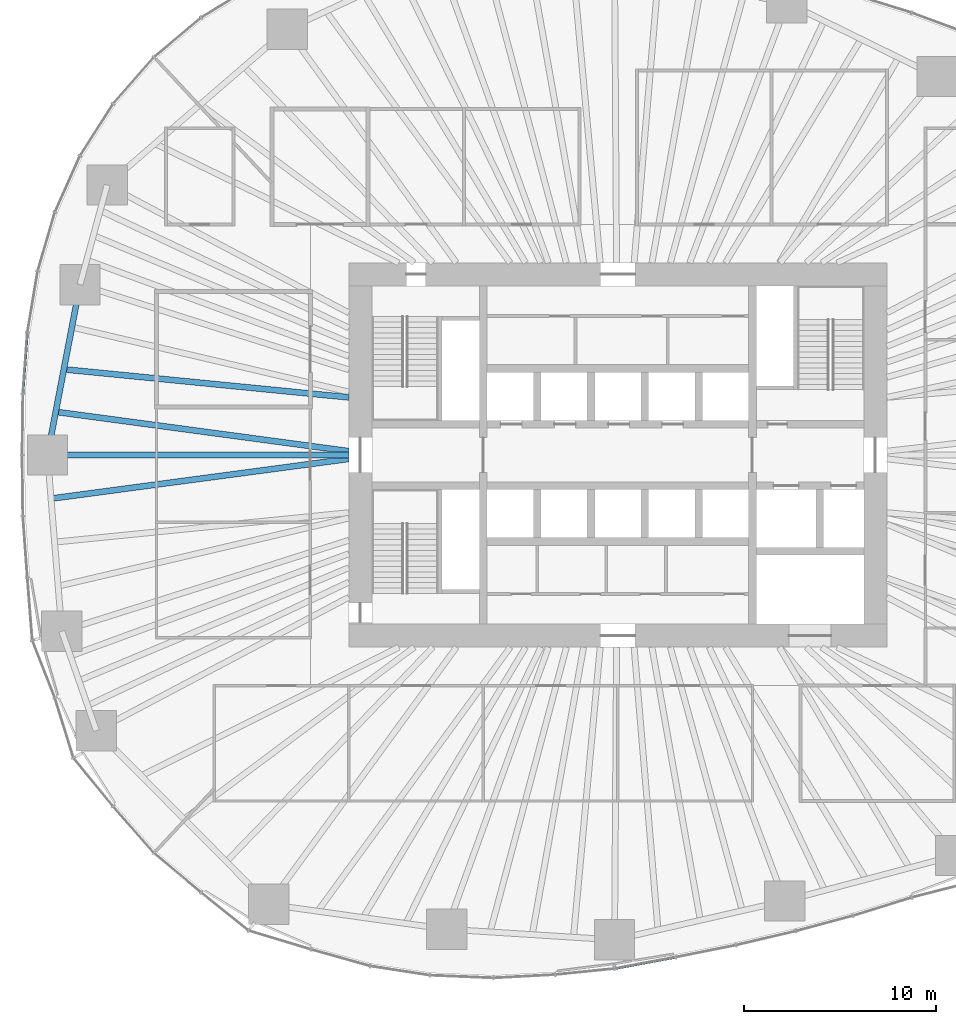
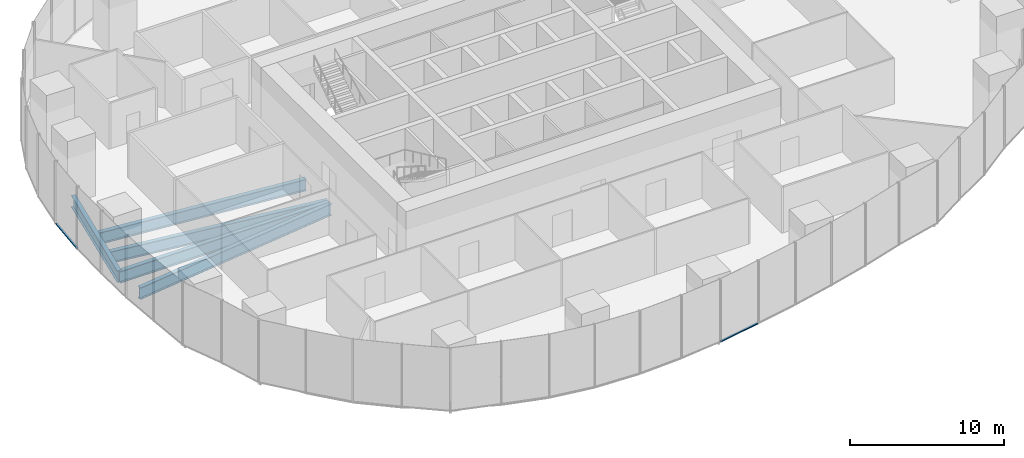
# One storey, part 3 of 20: 5 beams, 2 members, 2 elements without a shape of their own.
"""IFC4 building model written with IfcOpenShell, lengths in metres."""

from ifc_helpers import new_model, si_unit, direction, frame, origin, origin_2d, place, context, subcontext, project, spatial, rectangle, i_section, extrude, material, material_profile, profile_set, type_object, element, aggregate, save


model = new_model("IFC4")

# Units and contexts
model_context = context("Model", 3, precision=1e-05, world=origin(), true_north=direction((0.0, 1.0)))
body_context = subcontext(model_context, "Body", "Model", "MODEL_VIEW")
ifc_project = project(units=[si_unit("LENGTHUNIT", "METRE"), si_unit("AREAUNIT", "SQUARE_METRE"), si_unit("VOLUMEUNIT", "CUBIC_METRE"), si_unit("PLANEANGLEUNIT", "RADIAN"), si_unit("MASSUNIT", "GRAM", prefix="KILO")], contexts=[model_context])

# Site, building, storey
site_placement = place(None, origin())
site = spatial("IfcSite", under=ifc_project, at=site_placement, CompositionType="ELEMENT")
building_placement = place(site_placement, origin())
building = spatial("IfcBuilding", under=site, at=building_placement, Name="Ghaith Harvest Tower", CompositionType="ELEMENT")
storey_placement = place(building_placement, frame((0.0, 0.0, 40.0)))
storey = spatial("IfcBuildingStorey", under=building, at=storey_placement, Name="L08", CompositionType="ELEMENT", Elevation=40.0)

# Curtain wall, member
ifc_material_1 = material(Name="Black anodised aluminium and fritted glass", Category="aluminium")
curtain_wall_type = type_object("IfcCurtainWallType", Name="CW-F CURTAIN WALL", PredefinedType="NOTDEFINED", material=ifc_material_1)
curtain_wall_1_placement = place(storey_placement, origin())
curtain_wall_1 = element("IfcCurtainWall", 1, at=curtain_wall_1_placement, inside=storey, type_object=curtain_wall_type, Name="Curtain wall CW-F bay 10 L08", PredefinedType="NOTDEFINED")
ifc_material_2 = material(Name="Aluminium, black anodised", Category="aluminium")
ifc_material_profile_1 = material_profile(ifc_material_2, rectangle(XDim=0.139892578125, YDim=0.080078125, at=origin_2d()), Name="CW-F TRANSOM 140x80")
ifc_profile_set_1 = profile_set([ifc_material_profile_1], Name="Aluminium, black anodised")
member_type = type_object("IfcMemberType", Name="CW-F TRANSOM 140x80", PredefinedType="USERDEFINED", material=ifc_profile_set_1)
member_1_placement = place(storey_placement, frame((-30.72705078125, 6.335693359375, 0.0400390625), z_axis=(-0.072473547161, -0.997370334912, 0.0), x_axis=(0.997370334912, -0.072473547161, 0.0)))
member_1 = element("IfcMember", 2, at=member_1_placement, type_object=member_type, Name="CW-F transom 2 bay 10 L08", ObjectType="TRANSOM", PredefinedType="USERDEFINED", context=body_context, shape_type="SweptSolid", body=[
    extrude(rectangle(XDim=0.139892578125, YDim=0.080078125, at=origin_2d()), origin(), (0.0, 0.0, 1.0), 3.126220703125),
])
aggregate(curtain_wall_1, [member_1])

curtain_wall_2_placement = place(storey_placement, origin())
curtain_wall_2 = element("IfcCurtainWall", 3, at=curtain_wall_2_placement, inside=storey, type_object=curtain_wall_type, Name="Curtain wall CW-F bay 16 L08", PredefinedType="NOTDEFINED")
member_2_placement = place(storey_placement, frame((-0.1435546875, -26.709716796875, 0.0400390625), z_axis=(0.983139075124, 0.182859396706, 0.0), x_axis=(-0.182859396706, 0.983139075124, 0.0)))
member_2 = element("IfcMember", 4, at=member_2_placement, type_object=member_type, Name="CW-F transom 1 bay 16 L08", ObjectType="TRANSOM", PredefinedType="USERDEFINED", context=body_context, shape_type="SweptSolid", body=[
    extrude(rectangle(XDim=0.139892578125, YDim=0.080078125, at=origin_2d()), origin(), (0.0, 0.0, 1.0), 3.1669921875),
])
aggregate(curtain_wall_2, [member_2])

# Beams
ifc_material_3 = material(Name="Steel ASTM A992 Grade 50", Category="steel")
ifc_material_profile_2 = material_profile(ifc_material_3, i_section(OverallWidth=0.306884765625, OverallDepth=0.94189453125, WebThickness=0.022216796875, FlangeThickness=0.039794921875, at=origin_2d()), Name="W920X345")
ifc_profile_set_2 = profile_set([ifc_material_profile_2], Name="Steel ASTM A992 Grade 50")
beam_type_1 = type_object("IfcBeamType", Name="E920-345 W920X345", PredefinedType="SPANDREL", material=ifc_profile_set_2)
beam_1_placement = place(storey_placement, frame((-27.98291015625, 8.867919921875, -0.6708984375), z_axis=(-0.187433949108, -0.982277208695, 0.0), x_axis=(0.982277208695, -0.187433949108, 0.0)))
element("IfcBeam", 5, at=beam_1_placement, inside=storey, type_object=beam_type_1, Name="Edge beam E10 L08", PredefinedType="SPANDREL", context=body_context, shape_type="SweptSolid", body=[
    extrude(i_section(OverallWidth=0.306884765625, OverallDepth=0.94189453125, WebThickness=0.022216796875, FlangeThickness=0.039794921875, at=origin_2d()), origin(), (0.0, 0.0, 1.0), 9.02783203125),
])
ifc_material_4 = material(Name="Steel ASTM A992 Grade 50", Category="steel")
ifc_material_profile_3 = material_profile(ifc_material_4, i_section(OverallWidth=0.306884765625, OverallDepth=0.94189453125, WebThickness=0.022216796875, FlangeThickness=0.039794921875, at=origin_2d()), Name="W920X345")
ifc_profile_set_3 = profile_set([ifc_material_profile_3], Name="Steel ASTM A992 Grade 50")
beam_type_2 = type_object("IfcBeamType", Name="G920-345 W920X345", PredefinedType="BEAM", material=ifc_profile_set_3)
beam_2_placement = place(storey_placement, frame((-14.0, 0.0, -0.6708984375), z_axis=(-1.0, 0.0, 0.0), x_axis=(0.0, -1.0, 0.0)))
element("IfcBeam", 6, at=beam_2_placement, inside=storey, type_object=beam_type_2, Name="Radial girder G11 L08", PredefinedType="BEAM", context=body_context, shape_type="SweptSolid", body=[
    extrude(i_section(OverallWidth=0.306884765625, OverallDepth=0.94189453125, WebThickness=0.022216796875, FlangeThickness=0.039794921875, at=origin_2d()), origin(), (0.0, 0.0, 1.0), 15.675048828125),
])
ifc_material_5 = material(Name="Steel ASTM A992 Grade 50", Category="steel")
ifc_material_profile_4 = material_profile(ifc_material_5, i_section(OverallWidth=0.31005859375, OverallDepth=0.927001953125, WebThickness=0.019287109375, FlangeThickness=0.031982421875, at=origin_2d()), Name="W920X289")
ifc_profile_set_4 = profile_set([ifc_material_profile_4], Name="Steel ASTM A992 Grade 50")
beam_type_3 = type_object("IfcBeamType", Name="J920-289 W920X289", PredefinedType="JOIST", material=ifc_profile_set_4)
beam_3_placement = place(storey_placement, frame((-14.0, 3.0, -0.66357421875), z_axis=(-0.995196704135, 0.097895454848, 0.0), x_axis=(-0.097895454848, -0.995196704135, 0.0)))
element("IfcBeam", 7, at=beam_3_placement, inside=storey, type_object=beam_type_3, Name="Joist J10.2 L08", PredefinedType="JOIST", context=body_context, shape_type="SweptSolid", body=[
    extrude(i_section(OverallWidth=0.31005859375, OverallDepth=0.927001953125, WebThickness=0.019287109375, FlangeThickness=0.031982421875, at=origin_2d()), origin(), (0.0, 0.0, 1.0), 14.89599609375),
])
beam_4_placement = place(storey_placement, frame((-14.0, 0.199951171875, -0.66357421875), z_axis=(-0.991095171591, 0.133155401128, 0.0), x_axis=(-0.133155401128, -0.991095171591, 0.0)))
element("IfcBeam", 8, at=beam_4_placement, inside=storey, type_object=beam_type_3, Name="Joist J10.3 L08", PredefinedType="JOIST", context=body_context, shape_type="SweptSolid", body=[
    extrude(i_section(OverallWidth=0.31005859375, OverallDepth=0.927001953125, WebThickness=0.019287109375, FlangeThickness=0.031982421875, at=origin_2d()), origin(), (0.0, 0.0, 1.0), 15.383056640625),
])
beam_5_placement = place(storey_placement, frame((-14.0, -0.199951171875, -0.66357421875), z_axis=(-0.991213569042, -0.132271162948, 0.0), x_axis=(0.132271162948, -0.991213569042, 0.0)))
element("IfcBeam", 9, at=beam_5_placement, inside=storey, type_object=beam_type_3, Name="Joist J11.1 L08", PredefinedType="JOIST", context=body_context, shape_type="SweptSolid", body=[
    extrude(i_section(OverallWidth=0.31005859375, OverallDepth=0.927001953125, WebThickness=0.019287109375, FlangeThickness=0.031982421875, at=origin_2d()), origin(), (0.0, 0.0, 1.0), 15.6279296875),
])

save(model, "model.ifc")
